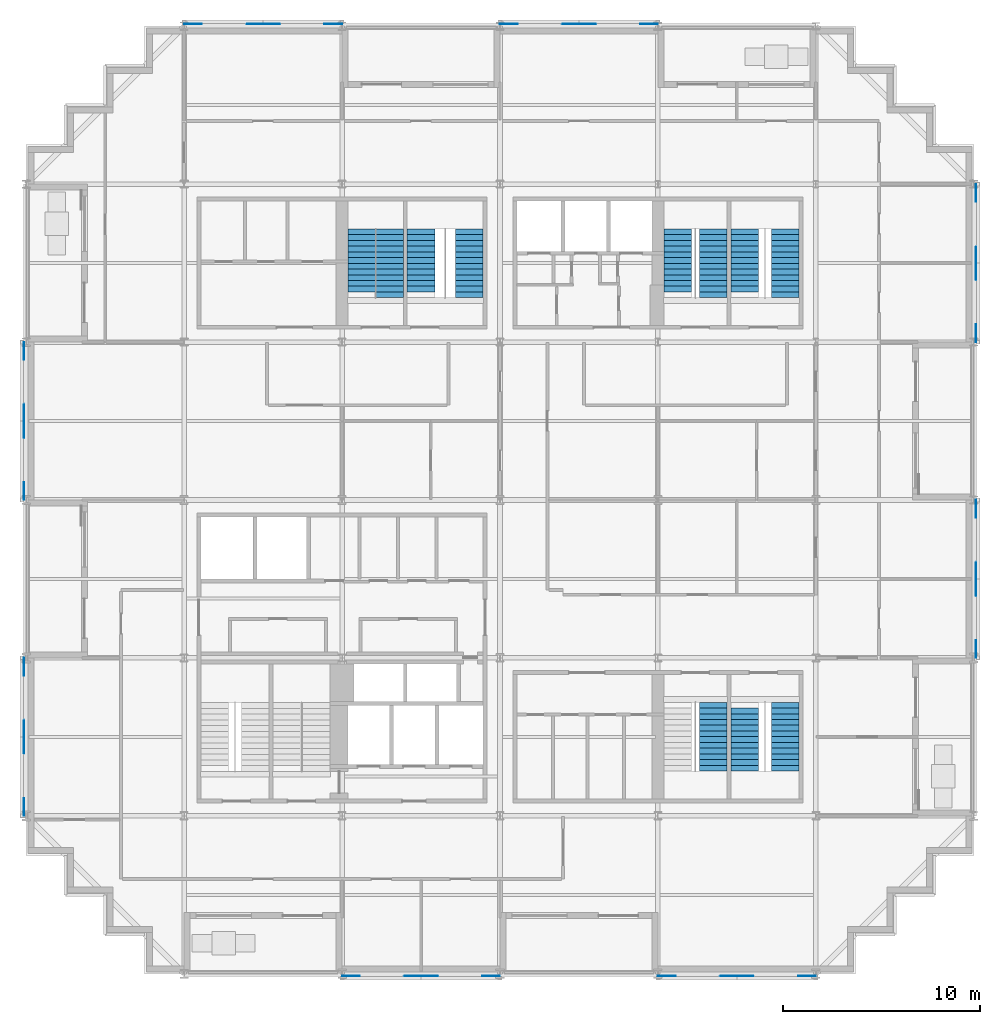
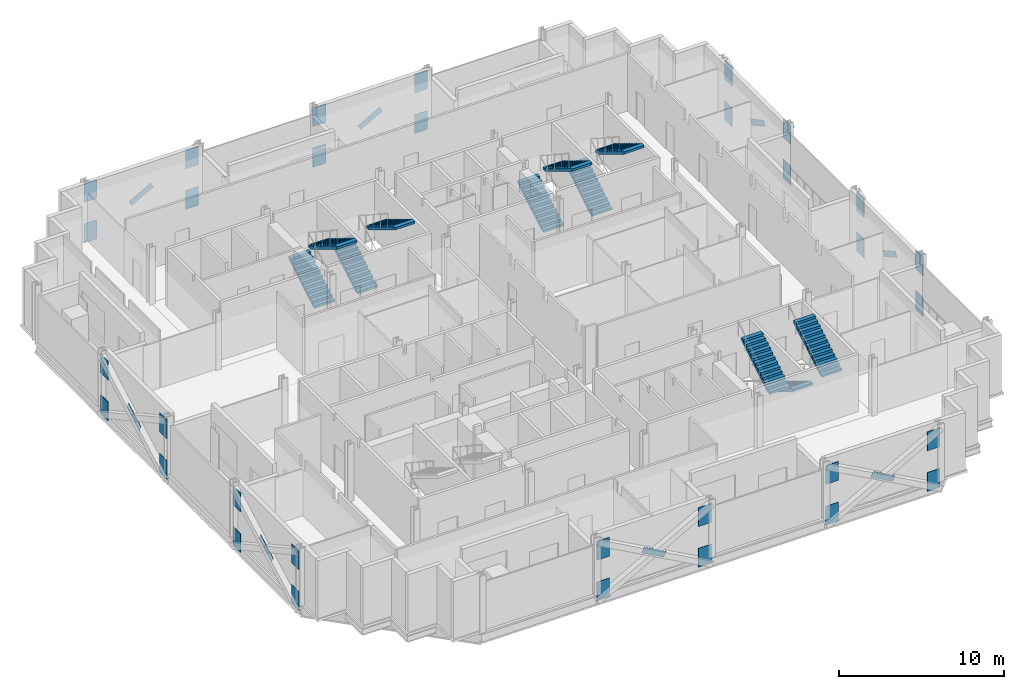
# One storey, part 12 of 15: 40 discrete accessories, 11 stair flights, 6 elements without a shape of their own.
"""IFC4 building model written with IfcOpenShell, lengths in metres."""

from ifc_helpers import new_model, si_unit, direction, frame, origin, origin_2d, place, context, subcontext, project, spatial, polyline, rectangle, outline, extrude, material, material_profile, profile_set, type_object, element, aggregate, save


model = new_model("IFC4")

# Units and contexts
model_context = context("Model", 3, precision=1e-05, world=origin(), true_north=direction((0.0, 1.0)))
body_context = subcontext(model_context, "Body", "Model", "MODEL_VIEW")
ifc_project = project(units=[si_unit("LENGTHUNIT", "METRE"), si_unit("AREAUNIT", "SQUARE_METRE"), si_unit("VOLUMEUNIT", "CUBIC_METRE"), si_unit("PLANEANGLEUNIT", "RADIAN"), si_unit("MASSUNIT", "GRAM", prefix="KILO")], contexts=[model_context])

# Site, building, storey
site_placement = place(None, origin())
site = spatial("IfcSite", under=ifc_project, at=site_placement, CompositionType="ELEMENT")
building_placement = place(site_placement, origin())
building = spatial("IfcBuilding", under=site, at=building_placement, Name="Immortelle Media Tower", CompositionType="ELEMENT")
storey_placement = place(building_placement, frame((0.0, 0.0, 87.60009765625)))
storey = spatial("IfcBuildingStorey", under=building, at=storey_placement, Name="L16", CompositionType="ELEMENT", Elevation=87.60009765625)

# Stair, stair flight
ifc_material_1 = material(Name="Steel ASTM A992 Gr 50", Category="steel")
stair_type = type_object("IfcStairType", Name="Stair with flights", PredefinedType="DOUBLE_RETURN_STAIR", material=ifc_material_1)
stair_1_placement = place(storey_placement, origin())
stair_1 = element("IfcStair", 1, at=stair_1_placement, inside=storey, type_object=stair_type, Name="Exit stair SE1", PredefinedType="DOUBLE_RETURN_STAIR")
stair_flight_type = type_object("IfcStairFlightType", Name="Stair flight 1400", PredefinedType="STRAIGHT", material=ifc_material_1)
stair_flight_1_placement = place(storey_placement, frame((34.800048828125, 10.27001953125, 2.11181640625), z_axis=(0.0, 0.0, 1.0), x_axis=(0.0, 1.0, 0.0)))
stair_flight_1 = element("IfcStairFlight", 2, at=stair_flight_1_placement, type_object=stair_flight_type, Name="ST SE1 flight 2", NumberOfRisers=13, NumberOfTreads=12, PredefinedType="STRAIGHT", RiserHeight=0.176, TreadLength=0.29, context=body_context, shape_type="SweptSolid", body=[
    extrude(outline(polyline([(0.0, 0.0), (0.0, 0.176025390625), (0.2900390625, 0.176025390625), (0.2900390625, 0.35205078125), (0.580078125, 0.35205078125), (0.580078125, 0.528076171875), (0.8701171875, 0.528076171875), (0.8701171875, 0.7041015625), (1.159912109375, 0.7041015625), (1.159912109375, 0.8798828125), (1.449951171875, 0.8798828125), (1.449951171875, 1.055908203125), (1.739990234375, 1.055908203125), (1.739990234375, 1.23193359375), (2.030029296875, 1.23193359375), (2.030029296875, 1.407958984375), (2.320068359375, 1.407958984375), (2.320068359375, 1.583984375), (2.610107421875, 1.583984375), (2.610107421875, 1.760009765625), (2.89990234375, 1.760009765625), (2.89990234375, 1.93603515625), (3.18994140625, 1.93603515625), (3.18994140625, 2.112060546875), (3.47998046875, 2.112060546875), (3.47998046875, 2.2880859375), (3.47998046875, 1.936767578125), (0.288818359375, 0.0), (0.0, 0.0)])), frame((0.0, 0.699951171875, 0.0), z_axis=(0.0, -1.0, 0.0), x_axis=(1.0, 0.0, 0.0)), (0.0, 0.0, 1.0), 1.39990234375),
])
aggregate(stair_1, [stair_flight_1])

# Stair, stair flights
stair_2_placement = place(storey_placement, origin())
stair_2 = element("IfcStair", 3, at=stair_2_placement, inside=storey, type_object=stair_type, Name="Exit stair SE2", PredefinedType="DOUBLE_RETURN_STAIR")
stair_flight_2_placement = place(storey_placement, frame((36.39990234375, 13.4599609375, 0.0), z_axis=(0.0, 0.0, 1.0), x_axis=(0.0, -1.0, 0.0)))
stair_flight_2 = element("IfcStairFlight", 4, at=stair_flight_2_placement, type_object=stair_flight_type, Name="ST SE2 flight 1", NumberOfRisers=12, NumberOfTreads=11, PredefinedType="STRAIGHT", RiserHeight=0.176, TreadLength=0.29, context=body_context, shape_type="SweptSolid", body=[
    extrude(outline(polyline([(0.0, 0.0), (0.0, 0.176025390625), (0.2900390625, 0.176025390625), (0.2900390625, 0.35205078125), (0.580078125, 0.35205078125), (0.580078125, 0.528076171875), (0.8701171875, 0.528076171875), (0.8701171875, 0.7041015625), (1.159912109375, 0.7041015625), (1.159912109375, 0.8798828125), (1.449951171875, 0.8798828125), (1.449951171875, 1.055908203125), (1.739990234375, 1.055908203125), (1.739990234375, 1.23193359375), (2.030029296875, 1.23193359375), (2.030029296875, 1.407958984375), (2.320068359375, 1.407958984375), (2.320068359375, 1.583984375), (2.610107421875, 1.583984375), (2.610107421875, 1.760009765625), (2.89990234375, 1.760009765625), (2.89990234375, 1.93603515625), (3.18994140625, 1.93603515625), (3.18994140625, 2.112060546875), (3.18994140625, 1.7607421875), (0.288818359375, 0.0), (0.0, 0.0)])), frame((0.0, 0.699951171875, 0.0), z_axis=(0.0, -1.0, 0.0), x_axis=(1.0, 0.0, 0.0)), (0.0, 0.0, 1.0), 1.39990234375),
])
stair_flight_3_placement = place(storey_placement, frame((38.449951171875, 10.27001953125, 2.11181640625), z_axis=(0.0, 0.0, 1.0), x_axis=(0.0, 1.0, 0.0)))
stair_flight_3 = element("IfcStairFlight", 5, at=stair_flight_3_placement, type_object=stair_flight_type, Name="ST SE2 flight 2", NumberOfRisers=13, NumberOfTreads=12, PredefinedType="STRAIGHT", RiserHeight=0.176, TreadLength=0.29, context=body_context, shape_type="SweptSolid", body=[
    extrude(outline(polyline([(0.0, 0.0), (0.0, 0.176025390625), (0.2900390625, 0.176025390625), (0.2900390625, 0.35205078125), (0.580078125, 0.35205078125), (0.580078125, 0.528076171875), (0.8701171875, 0.528076171875), (0.8701171875, 0.7041015625), (1.159912109375, 0.7041015625), (1.159912109375, 0.8798828125), (1.449951171875, 0.8798828125), (1.449951171875, 1.055908203125), (1.739990234375, 1.055908203125), (1.739990234375, 1.23193359375), (2.030029296875, 1.23193359375), (2.030029296875, 1.407958984375), (2.320068359375, 1.407958984375), (2.320068359375, 1.583984375), (2.610107421875, 1.583984375), (2.610107421875, 1.760009765625), (2.89990234375, 1.760009765625), (2.89990234375, 1.93603515625), (3.18994140625, 1.93603515625), (3.18994140625, 2.112060546875), (3.47998046875, 2.112060546875), (3.47998046875, 2.2880859375), (3.47998046875, 1.936767578125), (0.288818359375, 0.0), (0.0, 0.0)])), frame((0.0, 0.699951171875, 0.0), z_axis=(0.0, -1.0, 0.0), x_axis=(1.0, 0.0, 0.0)), (0.0, 0.0, 1.0), 1.39990234375),
])
aggregate(stair_2, [stair_flight_2, stair_flight_3])

stair_3_placement = place(storey_placement, origin())
stair_3 = element("IfcStair", 6, at=stair_3_placement, inside=storey, type_object=stair_type, Name="Exit stair NW1", PredefinedType="DOUBLE_RETURN_STAIR")
stair_flight_4_placement = place(storey_placement, frame((17.0, 34.5400390625, 0.0), z_axis=(0.0, 0.0, 1.0), x_axis=(0.0, 1.0, 0.0)))
stair_flight_4 = element("IfcStairFlight", 7, at=stair_flight_4_placement, type_object=stair_flight_type, Name="ST NW1 flight 1", NumberOfRisers=12, NumberOfTreads=11, PredefinedType="STRAIGHT", RiserHeight=0.176, TreadLength=0.29, context=body_context, shape_type="SweptSolid", body=[
    extrude(outline(polyline([(0.0, 0.0), (0.0, 0.176025390625), (0.2900390625, 0.176025390625), (0.2900390625, 0.35205078125), (0.580078125, 0.35205078125), (0.580078125, 0.528076171875), (0.8701171875, 0.528076171875), (0.8701171875, 0.7041015625), (1.159912109375, 0.7041015625), (1.159912109375, 0.8798828125), (1.449951171875, 0.8798828125), (1.449951171875, 1.055908203125), (1.739990234375, 1.055908203125), (1.739990234375, 1.23193359375), (2.030029296875, 1.23193359375), (2.030029296875, 1.407958984375), (2.320068359375, 1.407958984375), (2.320068359375, 1.583984375), (2.610107421875, 1.583984375), (2.610107421875, 1.760009765625), (2.89990234375, 1.760009765625), (2.89990234375, 1.93603515625), (3.18994140625, 1.93603515625), (3.18994140625, 2.112060546875), (3.18994140625, 1.7607421875), (0.288818359375, 0.0), (0.0, 0.0)])), frame((0.0, 0.699951171875, 0.0), z_axis=(0.0, -1.0, 0.0), x_axis=(1.0, 0.0, 0.0)), (0.0, 0.0, 1.0), 1.39990234375),
])
stair_flight_5_placement = place(storey_placement, frame((18.39990234375, 37.72998046875, 2.11181640625), z_axis=(0.0, 0.0, 1.0), x_axis=(0.0, -1.0, 0.0)))
stair_flight_5 = element("IfcStairFlight", 8, at=stair_flight_5_placement, type_object=stair_flight_type, Name="ST NW1 flight 2", NumberOfRisers=13, NumberOfTreads=12, PredefinedType="STRAIGHT", RiserHeight=0.176, TreadLength=0.29, context=body_context, shape_type="SweptSolid", body=[
    extrude(outline(polyline([(0.0, 0.0), (0.0, 0.176025390625), (0.2900390625, 0.176025390625), (0.2900390625, 0.35205078125), (0.580078125, 0.35205078125), (0.580078125, 0.528076171875), (0.8701171875, 0.528076171875), (0.8701171875, 0.7041015625), (1.159912109375, 0.7041015625), (1.159912109375, 0.8798828125), (1.449951171875, 0.8798828125), (1.449951171875, 1.055908203125), (1.739990234375, 1.055908203125), (1.739990234375, 1.23193359375), (2.030029296875, 1.23193359375), (2.030029296875, 1.407958984375), (2.320068359375, 1.407958984375), (2.320068359375, 1.583984375), (2.610107421875, 1.583984375), (2.610107421875, 1.760009765625), (2.89990234375, 1.760009765625), (2.89990234375, 1.93603515625), (3.18994140625, 1.93603515625), (3.18994140625, 2.112060546875), (3.47998046875, 2.112060546875), (3.47998046875, 2.2880859375), (3.47998046875, 1.936767578125), (0.288818359375, 0.0), (0.0, 0.0)])), frame((0.0, 0.699951171875, 0.0), z_axis=(0.0, -1.0, 0.0), x_axis=(1.0, 0.0, 0.0)), (0.0, 0.0, 1.0), 1.39990234375),
])
aggregate(stair_3, [stair_flight_4, stair_flight_5])

stair_4_placement = place(storey_placement, origin())
stair_4 = element("IfcStair", 9, at=stair_4_placement, inside=storey, type_object=stair_type, Name="Exit stair NW2", PredefinedType="DOUBLE_RETURN_STAIR")
stair_flight_6_placement = place(storey_placement, frame((20.0, 34.5400390625, 0.0), z_axis=(0.0, 0.0, 1.0), x_axis=(0.0, 1.0, 0.0)))
stair_flight_6 = element("IfcStairFlight", 10, at=stair_flight_6_placement, type_object=stair_flight_type, Name="ST NW2 flight 1", NumberOfRisers=12, NumberOfTreads=11, PredefinedType="STRAIGHT", RiserHeight=0.176, TreadLength=0.29, context=body_context, shape_type="SweptSolid", body=[
    extrude(outline(polyline([(0.0, 0.0), (0.0, 0.176025390625), (0.2900390625, 0.176025390625), (0.2900390625, 0.35205078125), (0.580078125, 0.35205078125), (0.580078125, 0.528076171875), (0.8701171875, 0.528076171875), (0.8701171875, 0.7041015625), (1.159912109375, 0.7041015625), (1.159912109375, 0.8798828125), (1.449951171875, 0.8798828125), (1.449951171875, 1.055908203125), (1.739990234375, 1.055908203125), (1.739990234375, 1.23193359375), (2.030029296875, 1.23193359375), (2.030029296875, 1.407958984375), (2.320068359375, 1.407958984375), (2.320068359375, 1.583984375), (2.610107421875, 1.583984375), (2.610107421875, 1.760009765625), (2.89990234375, 1.760009765625), (2.89990234375, 1.93603515625), (3.18994140625, 1.93603515625), (3.18994140625, 2.112060546875), (3.18994140625, 1.7607421875), (0.288818359375, 0.0), (0.0, 0.0)])), frame((0.0, 0.699951171875, 0.0), z_axis=(0.0, -1.0, 0.0), x_axis=(1.0, 0.0, 0.0)), (0.0, 0.0, 1.0), 1.39990234375),
])
stair_flight_7_placement = place(storey_placement, frame((22.449951171875, 37.72998046875, 2.11181640625), z_axis=(0.0, 0.0, 1.0), x_axis=(0.0, -1.0, 0.0)))
stair_flight_7 = element("IfcStairFlight", 11, at=stair_flight_7_placement, type_object=stair_flight_type, Name="ST NW2 flight 2", NumberOfRisers=13, NumberOfTreads=12, PredefinedType="STRAIGHT", RiserHeight=0.176, TreadLength=0.29, context=body_context, shape_type="SweptSolid", body=[
    extrude(outline(polyline([(0.0, 0.0), (0.0, 0.176025390625), (0.2900390625, 0.176025390625), (0.2900390625, 0.35205078125), (0.580078125, 0.35205078125), (0.580078125, 0.528076171875), (0.8701171875, 0.528076171875), (0.8701171875, 0.7041015625), (1.159912109375, 0.7041015625), (1.159912109375, 0.8798828125), (1.449951171875, 0.8798828125), (1.449951171875, 1.055908203125), (1.739990234375, 1.055908203125), (1.739990234375, 1.23193359375), (2.030029296875, 1.23193359375), (2.030029296875, 1.407958984375), (2.320068359375, 1.407958984375), (2.320068359375, 1.583984375), (2.610107421875, 1.583984375), (2.610107421875, 1.760009765625), (2.89990234375, 1.760009765625), (2.89990234375, 1.93603515625), (3.18994140625, 1.93603515625), (3.18994140625, 2.112060546875), (3.47998046875, 2.112060546875), (3.47998046875, 2.2880859375), (3.47998046875, 1.936767578125), (0.288818359375, 0.0), (0.0, 0.0)])), frame((0.0, 0.699951171875, 0.0), z_axis=(0.0, -1.0, 0.0), x_axis=(1.0, 0.0, 0.0)), (0.0, 0.0, 1.0), 1.39990234375),
])
aggregate(stair_4, [stair_flight_6, stair_flight_7])

stair_5_placement = place(storey_placement, origin())
stair_5 = element("IfcStair", 12, at=stair_5_placement, inside=storey, type_object=stair_type, Name="Exit stair NE1", PredefinedType="DOUBLE_RETURN_STAIR")
stair_flight_8_placement = place(storey_placement, frame((33.0, 34.5400390625, 0.0), z_axis=(0.0, 0.0, 1.0), x_axis=(0.0, 1.0, 0.0)))
stair_flight_8 = element("IfcStairFlight", 13, at=stair_flight_8_placement, type_object=stair_flight_type, Name="ST NE1 flight 1", NumberOfRisers=12, NumberOfTreads=11, PredefinedType="STRAIGHT", RiserHeight=0.176, TreadLength=0.29, context=body_context, shape_type="SweptSolid", body=[
    extrude(outline(polyline([(0.0, 0.0), (0.0, 0.176025390625), (0.2900390625, 0.176025390625), (0.2900390625, 0.35205078125), (0.580078125, 0.35205078125), (0.580078125, 0.528076171875), (0.8701171875, 0.528076171875), (0.8701171875, 0.7041015625), (1.159912109375, 0.7041015625), (1.159912109375, 0.8798828125), (1.449951171875, 0.8798828125), (1.449951171875, 1.055908203125), (1.739990234375, 1.055908203125), (1.739990234375, 1.23193359375), (2.030029296875, 1.23193359375), (2.030029296875, 1.407958984375), (2.320068359375, 1.407958984375), (2.320068359375, 1.583984375), (2.610107421875, 1.583984375), (2.610107421875, 1.760009765625), (2.89990234375, 1.760009765625), (2.89990234375, 1.93603515625), (3.18994140625, 1.93603515625), (3.18994140625, 2.112060546875), (3.18994140625, 1.7607421875), (0.288818359375, 0.0), (0.0, 0.0)])), frame((0.0, 0.699951171875, 0.0), z_axis=(0.0, -1.0, 0.0), x_axis=(1.0, 0.0, 0.0)), (0.0, 0.0, 1.0), 1.39990234375),
])
stair_flight_9_placement = place(storey_placement, frame((34.800048828125, 37.72998046875, 2.11181640625), z_axis=(0.0, 0.0, 1.0), x_axis=(0.0, -1.0, 0.0)))
stair_flight_9 = element("IfcStairFlight", 14, at=stair_flight_9_placement, type_object=stair_flight_type, Name="ST NE1 flight 2", NumberOfRisers=13, NumberOfTreads=12, PredefinedType="STRAIGHT", RiserHeight=0.176, TreadLength=0.29, context=body_context, shape_type="SweptSolid", body=[
    extrude(outline(polyline([(0.0, 0.0), (0.0, 0.176025390625), (0.2900390625, 0.176025390625), (0.2900390625, 0.35205078125), (0.580078125, 0.35205078125), (0.580078125, 0.528076171875), (0.8701171875, 0.528076171875), (0.8701171875, 0.7041015625), (1.159912109375, 0.7041015625), (1.159912109375, 0.8798828125), (1.449951171875, 0.8798828125), (1.449951171875, 1.055908203125), (1.739990234375, 1.055908203125), (1.739990234375, 1.23193359375), (2.030029296875, 1.23193359375), (2.030029296875, 1.407958984375), (2.320068359375, 1.407958984375), (2.320068359375, 1.583984375), (2.610107421875, 1.583984375), (2.610107421875, 1.760009765625), (2.89990234375, 1.760009765625), (2.89990234375, 1.93603515625), (3.18994140625, 1.93603515625), (3.18994140625, 2.112060546875), (3.47998046875, 2.112060546875), (3.47998046875, 2.2880859375), (3.47998046875, 1.936767578125), (0.288818359375, 0.0), (0.0, 0.0)])), frame((0.0, 0.699951171875, 0.0), z_axis=(0.0, -1.0, 0.0), x_axis=(1.0, 0.0, 0.0)), (0.0, 0.0, 1.0), 1.39990234375),
])
aggregate(stair_5, [stair_flight_8, stair_flight_9])

stair_6_placement = place(storey_placement, origin())
stair_6 = element("IfcStair", 15, at=stair_6_placement, inside=storey, type_object=stair_type, Name="Exit stair NE2", PredefinedType="DOUBLE_RETURN_STAIR")
stair_flight_10_placement = place(storey_placement, frame((36.39990234375, 34.5400390625, 0.0), z_axis=(0.0, 0.0, 1.0), x_axis=(0.0, 1.0, 0.0)))
stair_flight_10 = element("IfcStairFlight", 16, at=stair_flight_10_placement, type_object=stair_flight_type, Name="ST NE2 flight 1", NumberOfRisers=12, NumberOfTreads=11, PredefinedType="STRAIGHT", RiserHeight=0.176, TreadLength=0.29, context=body_context, shape_type="SweptSolid", body=[
    extrude(outline(polyline([(0.0, 0.0), (0.0, 0.176025390625), (0.2900390625, 0.176025390625), (0.2900390625, 0.35205078125), (0.580078125, 0.35205078125), (0.580078125, 0.528076171875), (0.8701171875, 0.528076171875), (0.8701171875, 0.7041015625), (1.159912109375, 0.7041015625), (1.159912109375, 0.8798828125), (1.449951171875, 0.8798828125), (1.449951171875, 1.055908203125), (1.739990234375, 1.055908203125), (1.739990234375, 1.23193359375), (2.030029296875, 1.23193359375), (2.030029296875, 1.407958984375), (2.320068359375, 1.407958984375), (2.320068359375, 1.583984375), (2.610107421875, 1.583984375), (2.610107421875, 1.760009765625), (2.89990234375, 1.760009765625), (2.89990234375, 1.93603515625), (3.18994140625, 1.93603515625), (3.18994140625, 2.112060546875), (3.18994140625, 1.7607421875), (0.288818359375, 0.0), (0.0, 0.0)])), frame((0.0, 0.699951171875, 0.0), z_axis=(0.0, -1.0, 0.0), x_axis=(1.0, 0.0, 0.0)), (0.0, 0.0, 1.0), 1.39990234375),
])
stair_flight_11_placement = place(storey_placement, frame((38.449951171875, 37.72998046875, 2.11181640625), z_axis=(0.0, 0.0, 1.0), x_axis=(0.0, -1.0, 0.0)))
stair_flight_11 = element("IfcStairFlight", 17, at=stair_flight_11_placement, type_object=stair_flight_type, Name="ST NE2 flight 2", NumberOfRisers=13, NumberOfTreads=12, PredefinedType="STRAIGHT", RiserHeight=0.176, TreadLength=0.29, context=body_context, shape_type="SweptSolid", body=[
    extrude(outline(polyline([(0.0, 0.0), (0.0, 0.176025390625), (0.2900390625, 0.176025390625), (0.2900390625, 0.35205078125), (0.580078125, 0.35205078125), (0.580078125, 0.528076171875), (0.8701171875, 0.528076171875), (0.8701171875, 0.7041015625), (1.159912109375, 0.7041015625), (1.159912109375, 0.8798828125), (1.449951171875, 0.8798828125), (1.449951171875, 1.055908203125), (1.739990234375, 1.055908203125), (1.739990234375, 1.23193359375), (2.030029296875, 1.23193359375), (2.030029296875, 1.407958984375), (2.320068359375, 1.407958984375), (2.320068359375, 1.583984375), (2.610107421875, 1.583984375), (2.610107421875, 1.760009765625), (2.89990234375, 1.760009765625), (2.89990234375, 1.93603515625), (3.18994140625, 1.93603515625), (3.18994140625, 2.112060546875), (3.47998046875, 2.112060546875), (3.47998046875, 2.2880859375), (3.47998046875, 1.936767578125), (0.288818359375, 0.0), (0.0, 0.0)])), frame((0.0, 0.699951171875, 0.0), z_axis=(0.0, -1.0, 0.0), x_axis=(1.0, 0.0, 0.0)), (0.0, 0.0, 1.0), 1.39990234375),
])
aggregate(stair_6, [stair_flight_10, stair_flight_11])

# Discrete accessories
ifc_material_2 = material(Name="Steel ASTM A572 Gr 50", Category="steel")
ifc_material_profile_1 = material_profile(ifc_material_2, rectangle(XDim=0.031982421875, YDim=0.406005859375, at=origin_2d()), Name="PL 32 x 406")
ifc_profile_set_1 = profile_set([ifc_material_profile_1], Name="Steel ASTM A572 Gr 50")
discrete_accessory_type_1 = type_object("IfcDiscreteAccessoryType", Name="Crossing plate XP-BR3 1750 x 406 x 32", PredefinedType="USERDEFINED", material=ifc_profile_set_1)
for number, where, z_axis, x_axis, name in (
    (18, (-0.113037109375, 28.7666015625, 2.125), (0.0, -0.876215908677, -0.481918749772), (1.0, 0.0, 0.0), "Crossing plate XP-BR3 of Brace 1/D-E A and Brace 1/D-E B"),
    (19, (-0.113037109375, 12.7666015625, 2.125), (0.0, -0.876215908677, -0.481918749772), (1.0, 0.0, 0.0), "Crossing plate XP-BR3 of Brace 1/B-C A and Brace 1/B-C B"),
    (20, (48.113037109375, 19.2333984375, 2.125), (0.0, 0.876215908677, -0.481918749772), (-1.0, 0.0, 0.0), "Crossing plate XP-BR3 of Brace 7/C-D A and Brace 7/C-D B"),
    (21, (48.113037109375, 35.2333984375, 2.125), (0.0, 0.876215908677, -0.481918749772), (-1.0, 0.0, 0.0), "Crossing plate XP-BR3 of Brace 7/E-F A and Brace 7/E-F B"),
    (22, (28.7666015625, 48.113037109375, 2.125), (-0.876215908677, 0.0, -0.481918749772), (0.0, -1.0, 0.0), "Crossing plate XP-BR3 of Brace G/4-5 A and Brace G/4-5 B"),
    (23, (12.7666015625, 48.113037109375, 2.125), (-0.876215908677, 0.0, -0.481918749772), (0.0, -1.0, 0.0), "Crossing plate XP-BR3 of Brace G/2-3 A and Brace G/2-3 B"),
    (24, (19.2333984375, -0.113037109375, 2.125), (0.876215908677, 0.0, -0.481918749772), (0.0, 1.0, 0.0), "Crossing plate XP-BR3 of Brace A/3-4 A and Brace A/3-4 B"),
    (25, (35.2333984375, -0.113037109375, 2.125), (0.876215908677, 0.0, -0.481918749772), (0.0, 1.0, 0.0), "Crossing plate XP-BR3 of Brace A/5-6 A and Brace A/5-6 B"),
):
    element("IfcDiscreteAccessory", number, at=place(storey_placement, frame(where, z_axis=z_axis, x_axis=x_axis)), inside=storey, type_object=discrete_accessory_type_1, Name=name, ObjectType="CROSSING PLATE", PredefinedType="USERDEFINED", context=body_context, shape_type="SweptSolid", body=[
        extrude(rectangle(XDim=0.031982421875, YDim=0.406005859375, at=origin_2d()), origin(), (0.0, 0.0, 1.0), 1.749755859375),
    ])
ifc_material_profile_2 = material_profile(ifc_material_2, rectangle(XDim=0.031982421875, YDim=1.39990234375, at=origin_2d()), Name="PL 32 x 1400")
ifc_profile_set_2 = profile_set([ifc_material_profile_2], Name="Steel ASTM A572 Gr 50")
discrete_accessory_type_2 = type_object("IfcDiscreteAccessoryType", Name="Gusset plate GP1 900 x 1400 x 32", PredefinedType="USERDEFINED", material=ifc_profile_set_2)
for number, where, z_axis, x_axis, name in (
    (26, (-0.113037109375, 32.0, 0.203369140625), (0.0, -1.0, 0.0), (1.0, 0.0, 0.0), "Gusset plate GP1, lower end of Brace 1/D-E A"),
    (27, (-0.113037109375, 24.0, 3.203369140625), (0.0, 1.0, 0.0), (-1.0, 0.0, 0.0), "Gusset plate GP1, upper end of Brace 1/D-E A"),
    (28, (-0.113037109375, 24.0, 0.203369140625), (0.0, 1.0, 0.0), (-1.0, 0.0, 0.0), "Gusset plate GP1, lower end of Brace 1/D-E B"),
    (29, (-0.113037109375, 32.0, 3.203369140625), (0.0, -1.0, 0.0), (1.0, 0.0, 0.0), "Gusset plate GP1, upper end of Brace 1/D-E B"),
    (30, (-0.113037109375, 16.0, 0.203369140625), (0.0, -1.0, 0.0), (1.0, 0.0, 0.0), "Gusset plate GP1, lower end of Brace 1/B-C A"),
    (31, (-0.113037109375, 8.0, 3.203369140625), (0.0, 1.0, 0.0), (-1.0, 0.0, 0.0), "Gusset plate GP1, upper end of Brace 1/B-C A"),
    (32, (-0.113037109375, 8.0, 0.203369140625), (0.0, 1.0, 0.0), (-1.0, 0.0, 0.0), "Gusset plate GP1, lower end of Brace 1/B-C B"),
    (33, (-0.113037109375, 16.0, 3.203369140625), (0.0, -1.0, 0.0), (1.0, 0.0, 0.0), "Gusset plate GP1, upper end of Brace 1/B-C B"),
    (34, (16.0, -0.113037109375, 0.203369140625), (1.0, 0.0, 0.0), (0.0, 1.0, 0.0), "Gusset plate GP1, lower end of Brace A/3-4 A"),
    (35, (24.0, -0.113037109375, 3.203369140625), (-1.0, 0.0, 0.0), (0.0, -1.0, 0.0), "Gusset plate GP1, upper end of Brace A/3-4 A"),
    (36, (24.0, -0.113037109375, 0.203369140625), (-1.0, 0.0, 0.0), (0.0, -1.0, 0.0), "Gusset plate GP1, lower end of Brace A/3-4 B"),
    (37, (16.0, -0.113037109375, 3.203369140625), (1.0, 0.0, 0.0), (0.0, 1.0, 0.0), "Gusset plate GP1, upper end of Brace A/3-4 B"),
    (38, (32.0, -0.113037109375, 0.203369140625), (1.0, 0.0, 0.0), (0.0, 1.0, 0.0), "Gusset plate GP1, lower end of Brace A/5-6 A"),
    (39, (40.0, -0.113037109375, 3.203369140625), (-1.0, 0.0, 0.0), (0.0, -1.0, 0.0), "Gusset plate GP1, upper end of Brace A/5-6 A"),
    (40, (40.0, -0.113037109375, 0.203369140625), (-1.0, 0.0, 0.0), (0.0, -1.0, 0.0), "Gusset plate GP1, lower end of Brace A/5-6 B"),
    (41, (32.0, -0.113037109375, 3.203369140625), (1.0, 0.0, 0.0), (0.0, 1.0, 0.0), "Gusset plate GP1, upper end of Brace A/5-6 B"),
    (42, (48.113037109375, 16.0, 0.203369140625), (0.0, 1.0, 0.0), (-1.0, 0.0, 0.0), "Gusset plate GP1, lower end of Brace 7/C-D A"),
    (43, (48.113037109375, 24.0, 3.203369140625), (0.0, -1.0, 0.0), (1.0, 0.0, 0.0), "Gusset plate GP1, upper end of Brace 7/C-D A"),
    (44, (48.113037109375, 24.0, 0.203369140625), (0.0, -1.0, 0.0), (1.0, 0.0, 0.0), "Gusset plate GP1, lower end of Brace 7/C-D B"),
    (45, (48.113037109375, 16.0, 3.203369140625), (0.0, 1.0, 0.0), (-1.0, 0.0, 0.0), "Gusset plate GP1, upper end of Brace 7/C-D B"),
    (46, (48.113037109375, 32.0, 0.203369140625), (0.0, 1.0, 0.0), (-1.0, 0.0, 0.0), "Gusset plate GP1, lower end of Brace 7/E-F A"),
    (47, (48.113037109375, 40.0, 3.203369140625), (0.0, -1.0, 0.0), (1.0, 0.0, 0.0), "Gusset plate GP1, upper end of Brace 7/E-F A"),
    (48, (48.113037109375, 40.0, 0.203369140625), (0.0, -1.0, 0.0), (1.0, 0.0, 0.0), "Gusset plate GP1, lower end of Brace 7/E-F B"),
    (49, (48.113037109375, 32.0, 3.203369140625), (0.0, 1.0, 0.0), (-1.0, 0.0, 0.0), "Gusset plate GP1, upper end of Brace 7/E-F B"),
    (50, (32.0, 48.113037109375, 0.203369140625), (-1.0, 0.0, 0.0), (0.0, -1.0, 0.0), "Gusset plate GP1, lower end of Brace G/4-5 A"),
    (51, (24.0, 48.113037109375, 3.203369140625), (1.0, 0.0, 0.0), (0.0, 1.0, 0.0), "Gusset plate GP1, upper end of Brace G/4-5 A"),
    (52, (24.0, 48.113037109375, 0.203369140625), (1.0, 0.0, 0.0), (0.0, 1.0, 0.0), "Gusset plate GP1, lower end of Brace G/4-5 B"),
    (53, (32.0, 48.113037109375, 3.203369140625), (-1.0, 0.0, 0.0), (0.0, -1.0, 0.0), "Gusset plate GP1, upper end of Brace G/4-5 B"),
    (54, (16.0, 48.113037109375, 0.203369140625), (-1.0, 0.0, 0.0), (0.0, -1.0, 0.0), "Gusset plate GP1, lower end of Brace G/2-3 A"),
    (55, (8.0, 48.113037109375, 3.203369140625), (1.0, 0.0, 0.0), (0.0, 1.0, 0.0), "Gusset plate GP1, upper end of Brace G/2-3 A"),
    (56, (8.0, 48.113037109375, 0.203369140625), (1.0, 0.0, 0.0), (0.0, 1.0, 0.0), "Gusset plate GP1, lower end of Brace G/2-3 B"),
    (57, (16.0, 48.113037109375, 3.203369140625), (-1.0, 0.0, 0.0), (0.0, -1.0, 0.0), "Gusset plate GP1, upper end of Brace G/2-3 B"),
):
    element("IfcDiscreteAccessory", number, at=place(storey_placement, frame(where, z_axis=z_axis, x_axis=x_axis)), inside=storey, type_object=discrete_accessory_type_2, Name=name, ObjectType="GUSSET PLATE", PredefinedType="USERDEFINED", context=body_context, shape_type="SweptSolid", body=[
        extrude(rectangle(XDim=0.031982421875, YDim=1.39990234375, at=origin_2d()), origin(), (0.0, 0.0, 1.0), 0.89990234375),
    ])

save(model, "model.ifc")
